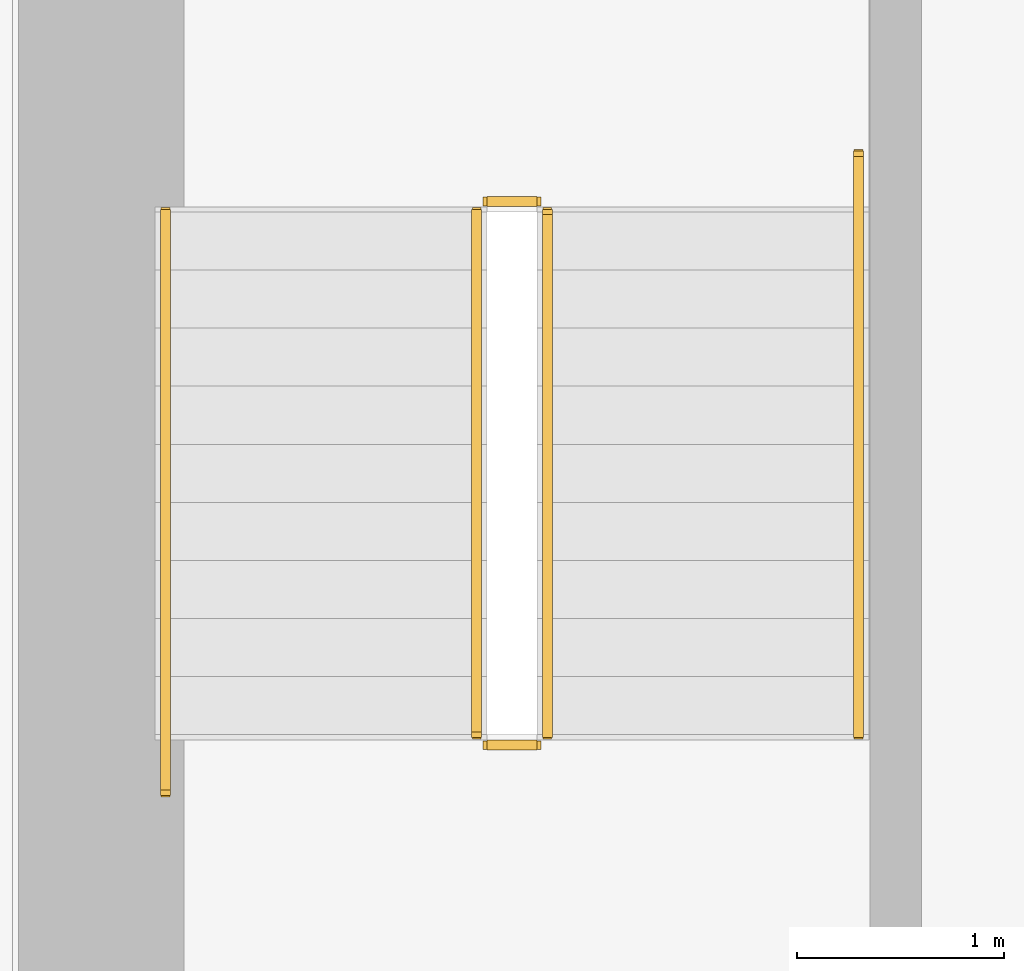
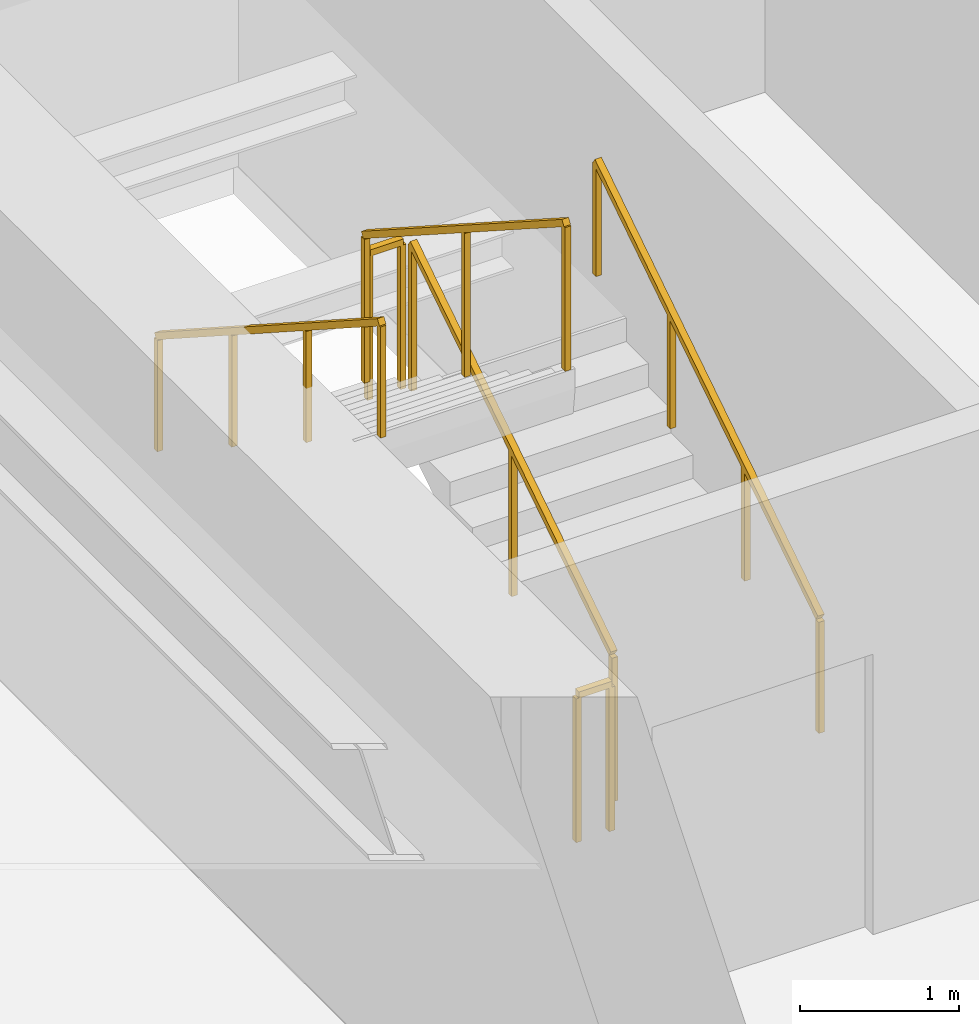
# One storey, part 30 of 33: 6 railings.
"""IFC4 building model written with IfcOpenShell, lengths in metres."""

from ifc_helpers import new_model, si_unit, direction, frame, origin, origin_2d, place, context, subcontext, project, spatial, rectangle, extrude, material, type_object, element, save


model = new_model("IFC4")

# Units and contexts
model_context = context("Model", 3, precision=1e-05, world=origin(), true_north=direction((0.0, 1.0)))
body_context = subcontext(model_context, "Body", "Model", "MODEL_VIEW")
ifc_project = project(units=[si_unit("LENGTHUNIT", "METRE"), si_unit("AREAUNIT", "SQUARE_METRE"), si_unit("VOLUMEUNIT", "CUBIC_METRE"), si_unit("PLANEANGLEUNIT", "RADIAN"), si_unit("MASSUNIT", "GRAM", prefix="KILO")], contexts=[model_context])

# Site, building, storey
site_placement = place(None, origin())
site = spatial("IfcSite", under=ifc_project, at=site_placement, CompositionType="ELEMENT")
building_placement = place(site_placement, origin())
building = spatial("IfcBuilding", under=site, at=building_placement, Name="Sumidabori Civic Tower", CompositionType="ELEMENT")
storey_placement = place(building_placement, frame((0.0, 0.0, 30.800048828125)))
storey = spatial("IfcBuildingStorey", under=building, at=storey_placement, Name="L07", CompositionType="ELEMENT", Elevation=30.800048828125)

# Railings
ifc_material_1 = material(Name="Stainless Steel Hairline Finish", Category="steel")
railing_type_1 = type_object("IfcRailingType", Name="RL-HANDRAIL", PredefinedType="HANDRAIL", material=ifc_material_1)
railing_1_placement = place(storey_placement, frame((-11.949951171875, 16.0, 0.179931640625)))
element("IfcRailing", 1, at=railing_1_placement, inside=storey, type_object=railing_type_1, Name="L07 ST-1 stair handrail 1", PredefinedType="HANDRAIL", context=body_context, shape_type="SweptSolid", body=[
    extrude(rectangle(XDim=0.048095703125, YDim=0.048095703125, at=origin_2d()), frame((0.0, 0.0, 0.8759765625), z_axis=(0.0, 0.840675598268, 0.541539046124), x_axis=(-1.0, 0.0, 0.0)), (0.0, 0.0, 1.0), 3.330810546875),
    extrude(rectangle(XDim=0.0419921875, YDim=0.0419921875, at=origin_2d()), origin(), (0.0, 0.0, 1.0), 0.851806640625),
    extrude(rectangle(XDim=0.0419921875, YDim=0.0419921875, at=origin_2d()), frame((0.0, 0.933349609375, 0.601318359375)), (0.0, 0.0, 1.0), 0.851806640625),
    extrude(rectangle(XDim=0.0419921875, YDim=0.0419921875, at=origin_2d()), frame((0.0, 1.86669921875, 1.202392578125)), (0.0, 0.0, 1.0), 0.851806640625),
    extrude(rectangle(XDim=0.0419921875, YDim=0.0419921875, at=origin_2d()), frame((0.0, 2.800048828125, 1.8037109375)), (0.0, 0.0, 1.0), 0.851806640625),
])
railing_2_placement = place(storey_placement, frame((-15.2900390625, 18.52001953125, 1.97998046875)))
element("IfcRailing", 2, at=railing_2_placement, inside=storey, type_object=railing_type_1, Name="L07 ST-1 stair handrail 2", PredefinedType="HANDRAIL", context=body_context, shape_type="SweptSolid", body=[
    extrude(rectangle(XDim=0.048095703125, YDim=0.048095703125, at=origin_2d()), frame((0.0, 0.0, 0.8759765625), z_axis=(0.0, -0.840675598268, 0.541539046124), x_axis=(1.0, 0.0, 0.0)), (0.0, 0.0, 1.0), 3.330810546875),
    extrude(rectangle(XDim=0.0419921875, YDim=0.0419921875, at=origin_2d()), origin(), (0.0, 0.0, 1.0), 0.851806640625),
    extrude(rectangle(XDim=0.0419921875, YDim=0.0419921875, at=origin_2d()), frame((0.0, -0.933349609375, 0.601318359375)), (0.0, 0.0, 1.0), 0.851806640625),
    extrude(rectangle(XDim=0.0419921875, YDim=0.0419921875, at=origin_2d()), frame((0.0, -1.86669921875, 1.202392578125)), (0.0, 0.0, 1.0), 0.851806640625),
    extrude(rectangle(XDim=0.0419921875, YDim=0.0419921875, at=origin_2d()), frame((0.0, -2.800048828125, 1.8037109375)), (0.0, 0.0, 1.0), 0.851806640625),
])
ifc_material_2 = material(Name="Steel SN490", Category="steel")
railing_type_2 = type_object("IfcRailingType", Name="RL-STAIR-GUARD", PredefinedType="GUARDRAIL", material=ifc_material_2)
railing_3_placement = place(storey_placement, frame((-13.449951171875, 16.0, 0.179931640625)))
element("IfcRailing", 3, at=railing_3_placement, inside=storey, type_object=railing_type_2, Name="L07 ST-1 stair guard 1", PredefinedType="GUARDRAIL", context=body_context, shape_type="SweptSolid", body=[
    extrude(rectangle(XDim=0.048095703125, YDim=0.048095703125, at=origin_2d()), frame((0.0, 0.0, 1.1259765625), z_axis=(0.0, 0.841162588446, 0.540782303519), x_axis=(-1.0, 0.0, 0.0)), (0.0, 0.0, 1.0), 2.995849609375),
    extrude(rectangle(XDim=0.0419921875, YDim=0.0419921875, at=origin_2d()), origin(), (0.0, 0.0, 1.0), 1.101806640625),
    extrude(rectangle(XDim=0.0419921875, YDim=0.0419921875, at=origin_2d()), frame((0.0, 1.260009765625, 0.81005859375)), (0.0, 0.0, 1.0), 1.101806640625),
    extrude(rectangle(XDim=0.0419921875, YDim=0.0419921875, at=origin_2d()), frame((0.0, 2.52001953125, 1.6201171875)), (0.0, 0.0, 1.0), 1.101806640625),
])
railing_4_placement = place(storey_placement, frame((-13.5, 18.570068359375, 1.800048828125)))
element("IfcRailing", 4, at=railing_4_placement, inside=storey, type_object=railing_type_2, Name="L07 ST-1 stair guard 2", PredefinedType="GUARDRAIL", context=body_context, shape_type="SweptSolid", body=[
    extrude(rectangle(XDim=0.048095703125, YDim=0.048095703125, at=origin_2d()), frame((0.0, 0.0, 1.1259765625), z_axis=(-1.0, 0.0, 0.0), x_axis=(0.0, -1.0, 0.0)), (0.0, 0.0, 1.0), 0.239990234375),
    extrude(rectangle(XDim=0.0419921875, YDim=0.0419921875, at=origin_2d()), origin(), (0.0, 0.0, 1.0), 1.101806640625),
    extrude(rectangle(XDim=0.0419921875, YDim=0.0419921875, at=origin_2d()), frame((-0.239990234375, 0.0, 0.0)), (0.0, 0.0, 1.0), 1.101806640625),
])
railing_5_placement = place(storey_placement, frame((-13.7900390625, 18.52001953125, 1.97998046875)))
element("IfcRailing", 5, at=railing_5_placement, inside=storey, type_object=railing_type_2, Name="L07 ST-1 stair guard 3", PredefinedType="GUARDRAIL", context=body_context, shape_type="SweptSolid", body=[
    extrude(rectangle(XDim=0.048095703125, YDim=0.048095703125, at=origin_2d()), frame((0.0, 0.0, 1.1259765625), z_axis=(0.0, -0.841199657755, 0.540724639528), x_axis=(1.0, 0.0, 0.0)), (0.0, 0.0, 1.0), 2.995849609375),
    extrude(rectangle(XDim=0.0419921875, YDim=0.0419921875, at=origin_2d()), origin(), (0.0, 0.0, 1.0), 1.101806640625),
    extrude(rectangle(XDim=0.0419921875, YDim=0.0419921875, at=origin_2d()), frame((0.0, -1.260009765625, 0.81005859375)), (0.0, 0.0, 1.0), 1.101806640625),
    extrude(rectangle(XDim=0.0419921875, YDim=0.0419921875, at=origin_2d()), frame((0.0, -2.52001953125, 1.619873046875)), (0.0, 0.0, 1.0), 1.101806640625),
])
railing_6_placement = place(storey_placement, frame((-13.5, 15.949951171875, 0.0)))
element("IfcRailing", 6, at=railing_6_placement, inside=storey, type_object=railing_type_2, Name="L07 ST-1 stair guard 4", PredefinedType="GUARDRAIL", context=body_context, shape_type="SweptSolid", body=[
    extrude(rectangle(XDim=0.048095703125, YDim=0.048095703125, at=origin_2d()), frame((0.0, 0.0, 1.1259765625), z_axis=(-1.0, 0.0, 0.0), x_axis=(0.0, -1.0, 0.0)), (0.0, 0.0, 1.0), 0.239990234375),
    extrude(rectangle(XDim=0.0419921875, YDim=0.0419921875, at=origin_2d()), origin(), (0.0, 0.0, 1.0), 1.101806640625),
    extrude(rectangle(XDim=0.0419921875, YDim=0.0419921875, at=origin_2d()), frame((-0.239990234375, 0.0, 0.0)), (0.0, 0.0, 1.0), 1.101806640625),
])

save(model, "model.ifc")
